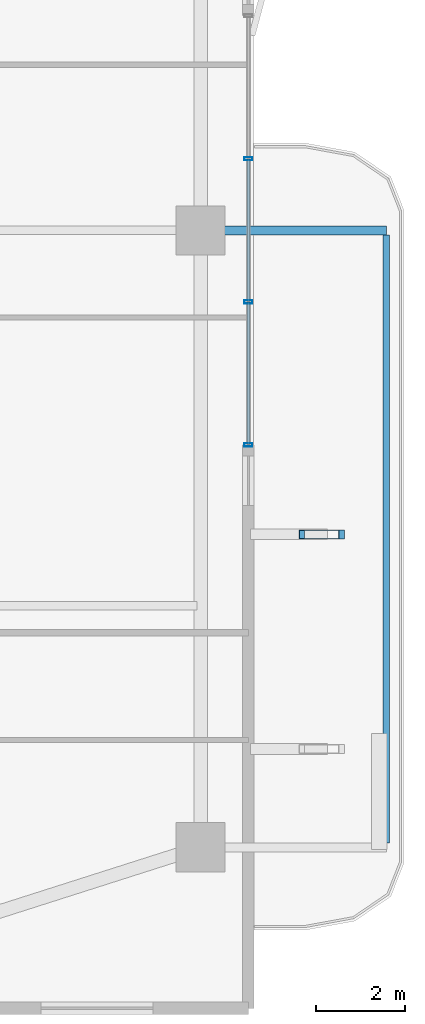
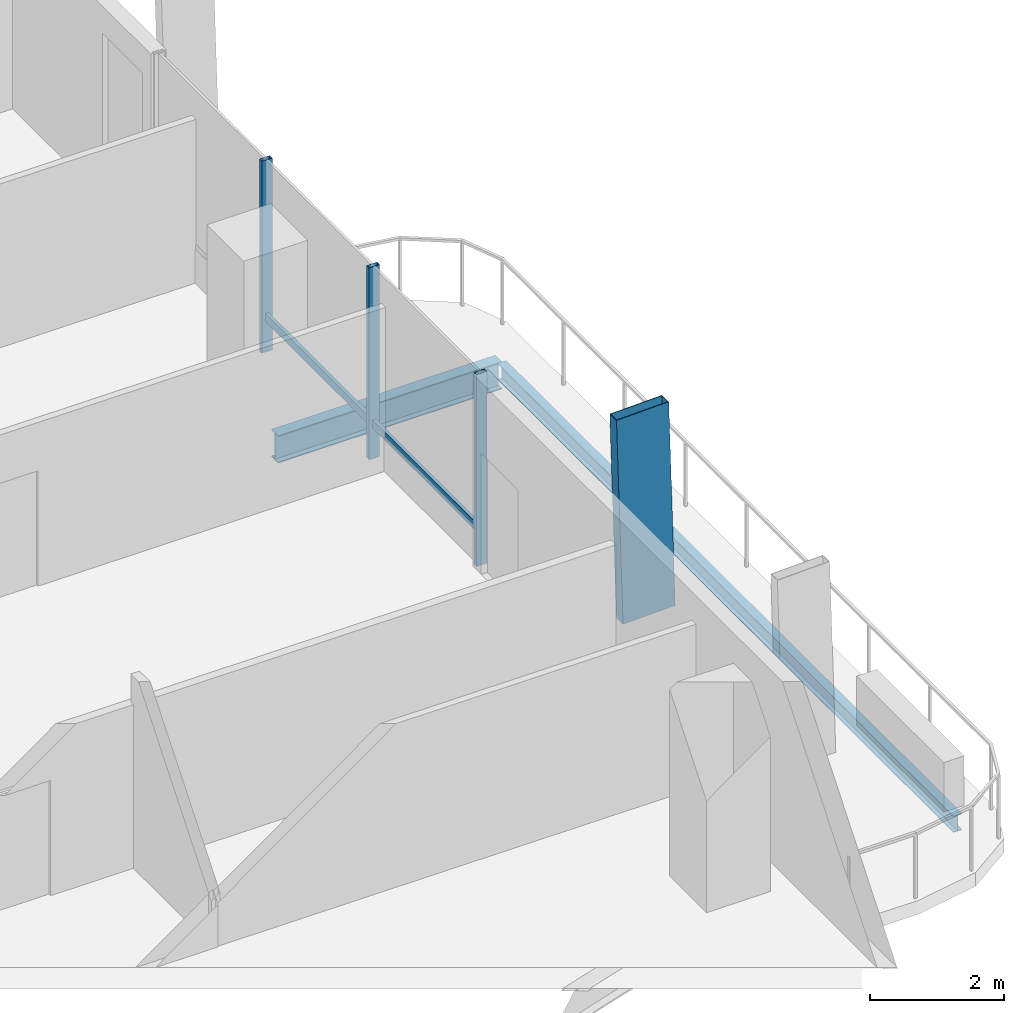
# One storey, part 10 of 25: 6 members, 2 beams, 1 element without a shape of its own.
"""IFC4 building model written with IfcOpenShell, lengths in metres."""

from ifc_helpers import new_model, si_unit, direction, frame, origin, origin_2d, place, context, subcontext, project, spatial, hollow_rectangle, i_section, extrude, material, layer, layer_set, material_profile, profile_set, type_object, element, aggregate, save


model = new_model("IFC4")

# Units and contexts
model_context = context("Model", 3, precision=1e-05, world=origin(), true_north=direction((0.0, 1.0)))
body_context = subcontext(model_context, "Body", "Model", "MODEL_VIEW")
ifc_project = project(units=[si_unit("LENGTHUNIT", "METRE"), si_unit("AREAUNIT", "SQUARE_METRE"), si_unit("VOLUMEUNIT", "CUBIC_METRE"), si_unit("PLANEANGLEUNIT", "RADIAN"), si_unit("MASSUNIT", "GRAM", prefix="KILO")], contexts=[model_context])

# Site, building, storey
site_placement = place(None, origin())
site = spatial("IfcSite", under=ifc_project, at=site_placement, CompositionType="ELEMENT")
building_placement = place(site_placement, origin())
building = spatial("IfcBuilding", under=site, at=building_placement, Name="Belovzor Exchange Tower", CompositionType="ELEMENT")
storey_placement = place(building_placement, frame((0.0, 0.0, 149.550048828125)))
storey = spatial("IfcBuildingStorey", under=building, at=storey_placement, Name="L36", CompositionType="ELEMENT", Elevation=149.550048828125)

# Beams
ifc_material_1 = material(Name="Steel S355", Category="steel")
ifc_material_profile_1 = material_profile(ifc_material_1, i_section(OverallWidth=0.199951171875, OverallDepth=0.5, WebThickness=0.01025390625, FlangeThickness=0.01611328125, at=origin_2d()))
ifc_profile_set_1 = profile_set([ifc_material_profile_1], Name="Steel S355")
beam_type_1 = type_object("IfcBeamType", Name="Planted Balcony Cantilever Beam IPE 500", PredefinedType="BEAM", material=ifc_profile_set_1)
beam_1_placement = place(storey_placement, frame((52.202880859375, 28.800048828125, -0.505126953125), z_axis=(1.0, 0.0, 0.0), x_axis=(0.0, 1.0, 0.0)))
element("IfcBeam", 1, at=beam_1_placement, inside=storey, type_object=beam_type_1, Name="BC-500 Planted Balcony Cantilever Beam IPE 500", PredefinedType="BEAM", context=body_context, shape_type="SweptSolid", body=[
    extrude(i_section(OverallWidth=0.199951171875, OverallDepth=0.5, WebThickness=0.01025390625, FlangeThickness=0.01611328125, at=origin_2d()), origin(), (0.0, 0.0, 1.0), 3.85009765625),
])
ifc_material_2 = material(Name="Steel S355", Category="steel")
ifc_material_profile_2 = material_profile(ifc_material_2, i_section(OverallWidth=0.14990234375, OverallDepth=0.300048828125, WebThickness=0.007080078125, FlangeThickness=0.0107421875, at=origin_2d()))
ifc_profile_set_2 = profile_set([ifc_material_profile_2], Name="Steel S355")
beam_type_2 = type_object("IfcBeamType", Name="Planted Balcony Fascia Edge Beam IPE 300", PredefinedType="BEAM", material=ifc_profile_set_2)
beam_2_placement = place(storey_placement, frame((56.052978515625, 15.10009765625, -0.405029296875), z_axis=(0.0, 1.0, 0.0), x_axis=(-1.0, 0.0, 0.0)))
element("IfcBeam", 2, at=beam_2_placement, inside=storey, type_object=beam_type_2, Name="BC-300 Planted Balcony Fascia Edge Beam IPE 300", PredefinedType="BEAM", context=body_context, shape_type="SweptSolid", body=[
    extrude(i_section(OverallWidth=0.14990234375, OverallDepth=0.300048828125, WebThickness=0.007080078125, FlangeThickness=0.0107421875, at=origin_2d()), origin(), (0.0, 0.0, 1.0), 13.599853515625),
])

# Member
ifc_material_3 = material(Name="Extruded Architectural Terracotta on Steel S355 Carrier", Category="masonry")
ifc_material_profile_3 = material_profile(ifc_material_3, hollow_rectangle(XDim=0.199951171875, YDim=0.89990234375, WallThickness=0.011962890625, at=origin_2d()))
ifc_profile_set_3 = profile_set([ifc_material_profile_3], Name="Extruded Architectural Terracotta on Steel S355 Carrier")
member_type_1 = type_object("IfcMemberType", Name="Sweeping Terracotta Baguette Fin Assembly 1250", PredefinedType="USERDEFINED", material=ifc_profile_set_3)
member_1_placement = place(storey_placement, frame((54.6640625, 22.0, -0.255126953125), z_axis=(-0.030129544208, 0.0, 0.999546002226), x_axis=(0.0, -1.0, 0.0)))
element("IfcMember", 3, at=member_1_placement, inside=storey, type_object=member_type_1, Name="FIN-TC125 Terracotta Facade Fin L36 E2", ObjectType="FIN", PredefinedType="USERDEFINED", context=body_context, shape_type="SweptSolid", body=[
    extrude(hollow_rectangle(XDim=0.199951171875, YDim=0.89990234375, WallThickness=0.011962890625, at=origin_2d()), origin(), (0.0, 0.0, 1.0), 3.751708984375),
])

# Curtain wall, members
ifc_material_4 = material(Name="Anodised Aluminium Framing", Category="aluminium")
ifc_layer = layer(ifc_material_4, 0.179931640625)
ifc_layer_set = layer_set([ifc_layer], Name="Anodised Aluminium Framing")
curtain_wall_type = type_object("IfcCurtainWallType", Name="Recessed Loggia Low-Iron Triple-Glazed Curtain Wall", PredefinedType="NOTDEFINED", material=ifc_layer_set)
curtain_wall_placement = place(storey_placement, origin())
curtain_wall = element("IfcCurtainWall", 4, at=curtain_wall_placement, inside=storey, type_object=curtain_wall_type, Name="CW3 Recessed Loggia Low-Iron Triple-Glazed Curtain Wall L36", PredefinedType="NOTDEFINED")
ifc_material_5 = material(Name="Steel S355", Category="steel")
ifc_material_profile_4 = material_profile(ifc_material_5, hollow_rectangle(XDim=0.074951171875, YDim=0.179931640625, WallThickness=0.0048828125, at=origin_2d()))
ifc_profile_set_4 = profile_set([ifc_material_profile_4], Name="Steel S355")
member_type_2 = type_object("IfcMemberType", Name="Thermally Broken Curtain Wall Mullion 180x75", PredefinedType="MULLION", material=ifc_profile_set_4)
member_2_placement = place(storey_placement, frame((52.969970703125, 30.39990234375, 0.0), z_axis=(0.0, 0.0, 1.0), x_axis=(0.0, -1.0, 0.0)))
member_2 = element("IfcMember", 5, at=member_2_placement, type_object=member_type_2, Name="CW-M180 Curtain Wall Mullion 2", PredefinedType="MULLION", context=body_context, shape_type="SweptSolid", body=[
    extrude(hollow_rectangle(XDim=0.074951171875, YDim=0.179931640625, WallThickness=0.0048828125, at=origin_2d()), origin(), (0.0, 0.0, 1.0), 3.494873046875),
])
member_3_placement = place(storey_placement, frame((52.969970703125, 27.199951171875, 0.0), z_axis=(0.0, 0.0, 1.0), x_axis=(0.0, -1.0, 0.0)))
member_3 = element("IfcMember", 6, at=member_3_placement, type_object=member_type_2, Name="CW-M180 Curtain Wall Mullion 3", PredefinedType="MULLION", context=body_context, shape_type="SweptSolid", body=[
    extrude(hollow_rectangle(XDim=0.074951171875, YDim=0.179931640625, WallThickness=0.0048828125, at=origin_2d()), origin(), (0.0, 0.0, 1.0), 3.494873046875),
])
member_4_placement = place(storey_placement, frame((52.969970703125, 24.0, 0.0), z_axis=(0.0, 0.0, 1.0), x_axis=(0.0, -1.0, 0.0)))
member_4 = element("IfcMember", 7, at=member_4_placement, type_object=member_type_2, Name="CW-M180 Curtain Wall Mullion 4", PredefinedType="MULLION", context=body_context, shape_type="SweptSolid", body=[
    extrude(hollow_rectangle(XDim=0.074951171875, YDim=0.179931640625, WallThickness=0.0048828125, at=origin_2d()), origin(), (0.0, 0.0, 1.0), 3.494873046875),
])
ifc_material_6 = material(Name="Steel S355", Category="steel")
ifc_material_profile_5 = material_profile(ifc_material_6, hollow_rectangle(XDim=0.06005859375, YDim=0.14990234375, WallThickness=0.00390625, at=origin_2d()))
ifc_profile_set_5 = profile_set([ifc_material_profile_5], Name="Steel S355")
member_type_3 = type_object("IfcMemberType", Name="Thermally Broken Curtain Wall Transom 150x60", PredefinedType="USERDEFINED", material=ifc_profile_set_5)
member_5_placement = place(storey_placement, frame((52.969970703125, 30.39208984375, 0.62890625), z_axis=(0.0, -1.0, 0.0), x_axis=(1.0, 0.0, 0.0)))
member_5 = element("IfcMember", 8, at=member_5_placement, type_object=member_type_3, Name="CW-T150 Curtain Wall Transom 2", ObjectType="TRANSOM", PredefinedType="USERDEFINED", context=body_context, shape_type="SweptSolid", body=[
    extrude(hollow_rectangle(XDim=0.06005859375, YDim=0.14990234375, WallThickness=0.00390625, at=origin_2d()), origin(), (0.0, 0.0, 1.0), 3.18408203125),
])
member_6_placement = place(storey_placement, frame((52.969970703125, 27.19189453125, 0.62890625), z_axis=(0.0, -1.0, 0.0), x_axis=(1.0, 0.0, 0.0)))
member_6 = element("IfcMember", 9, at=member_6_placement, type_object=member_type_3, Name="CW-T150 Curtain Wall Transom 3", ObjectType="TRANSOM", PredefinedType="USERDEFINED", context=body_context, shape_type="SweptSolid", body=[
    extrude(hollow_rectangle(XDim=0.06005859375, YDim=0.14990234375, WallThickness=0.00390625, at=origin_2d()), origin(), (0.0, 0.0, 1.0), 3.183837890625),
])
aggregate(curtain_wall, [member_2, member_3, member_4, member_5, member_6])

save(model, "model.ifc")
